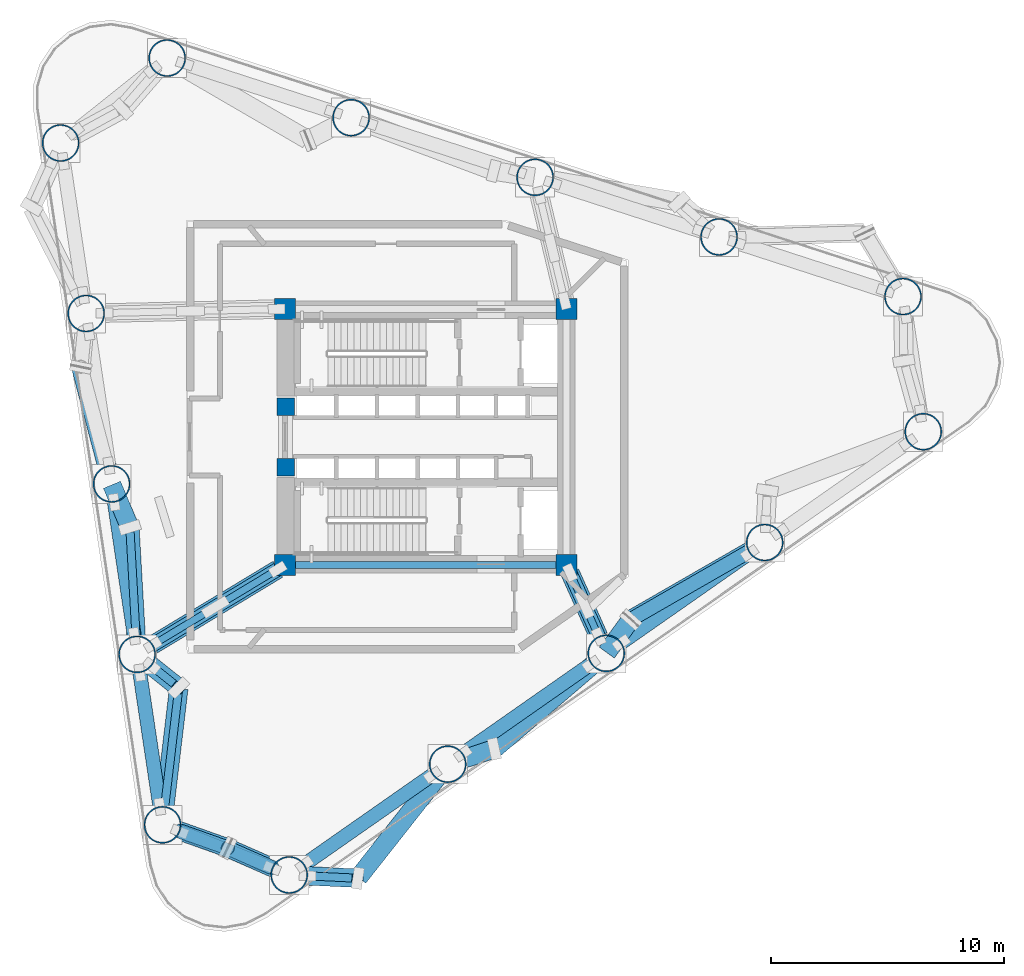
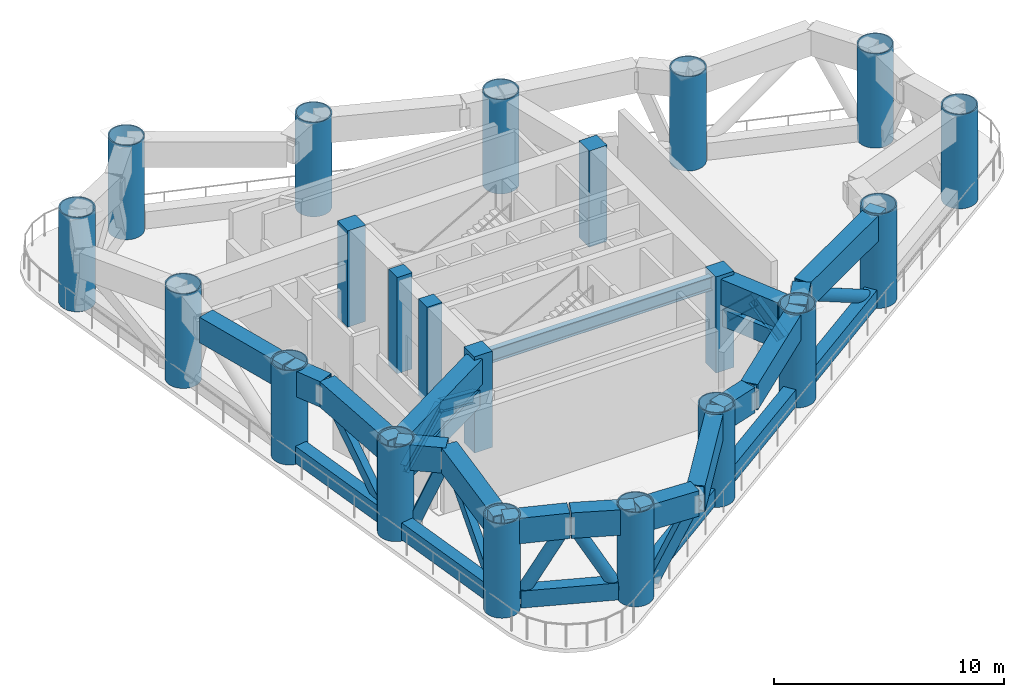
# One storey, part 1 of 8: 21 columns, 19 members, 16 beams.
"""IFC4 building model written with IfcOpenShell, lengths in metres."""

from ifc_helpers import new_model, si_unit, direction, frame, origin, origin_2d, place, context, subcontext, project, spatial, rectangle, hollow_rectangle, hollow_circle, i_section, extrude, source, transform, mapped, material, material_profile, profile_set, type_object, element, save


model = new_model("IFC4")

# Units and contexts
model_context = context("Model", 3, precision=1e-05, world=origin(), true_north=direction((0.0, 1.0)))
body_context = subcontext(model_context, "Body", "Model", "MODEL_VIEW")
ifc_project = project(units=[si_unit("LENGTHUNIT", "METRE"), si_unit("AREAUNIT", "SQUARE_METRE"), si_unit("VOLUMEUNIT", "CUBIC_METRE"), si_unit("PLANEANGLEUNIT", "RADIAN"), si_unit("MASSUNIT", "GRAM", prefix="KILO")], contexts=[model_context])

# Site, building, storey
site_placement = place(None, origin())
site = spatial("IfcSite", under=ifc_project, at=site_placement, CompositionType="ELEMENT")
building_placement = place(site_placement, origin())
building = spatial("IfcBuilding", under=site, at=building_placement, Name="Yunling Apex Tower", CompositionType="ELEMENT")
storey_placement = place(building_placement, frame((0.0, 0.0, 84.800048828125)))
storey = spatial("IfcBuildingStorey", under=building, at=storey_placement, Name="RF2", CompositionType="ELEMENT", Elevation=84.800048828125)

# Columns
ifc_material_1 = material(Name="Concrete C60", Category="concrete")
ifc_material_profile_1 = material_profile(ifc_material_1, rectangle(XDim=0.89990234375, YDim=0.89990234375, at=origin_2d()))
ifc_profile_set_1 = profile_set([ifc_material_profile_1], Name="Concrete C60")
column_type_1 = type_object("IfcColumnType", Name="PC-SRC-3", PredefinedType="COLUMN", material=ifc_profile_set_1)
shared_shape_1 = source(origin(), body_context, "Body", "SweptSolid", [
    extrude(rectangle(XDim=0.89990234375, YDim=0.89990234375, at=origin_2d()), origin(), (0.0, 0.0, 1.0), 5.099853515625),
])
for number, where, z_axis, x_axis, name in (
    (1, (-6.050048828125, -5.5, 0.0), (0.0, 0.0, 1.0), (1.0, 0.0, 0.0), "RF2 Core Spine Column CC-SW"),
    (2, (6.050048828125, -5.5, 0.0), (0.0, 0.0, 1.0), (1.0, 0.0, 0.0), "RF2 Core Spine Column CC-SE"),
    (3, (6.050048828125, 5.5, 0.0), (0.0, 0.0, 1.0), (1.0, 0.0, 0.0), "RF2 Core Spine Column CC-NE"),
    (4, (-6.050048828125, 5.5, 0.0), (0.0, 0.0, 1.0), (1.0, 0.0, 0.0), "RF2 Core Spine Column CC-NW"),
):
    element("IfcColumn", number, at=place(storey_placement, frame(where, z_axis=z_axis, x_axis=x_axis)), inside=storey, type_object=column_type_1, Name=name, PredefinedType="COLUMN", context=body_context, shape_type="MappedRepresentation", body=[
        mapped(shared_shape_1, transform((0.0, 0.0, 0.0), scale=1.0)),
    ])
ifc_material_2 = material(Name="Concrete C50", Category="concrete")
ifc_material_profile_2 = material_profile(ifc_material_2, rectangle(XDim=0.75, YDim=0.75, at=origin_2d()))
ifc_profile_set_2 = profile_set([ifc_material_profile_2], Name="Concrete C50")
column_type_2 = type_object("IfcColumnType", Name="PC-SRC-4", PredefinedType="COLUMN", material=ifc_profile_set_2)
shared_shape_2 = source(origin(), body_context, "Body", "SweptSolid", [
    extrude(rectangle(XDim=0.75, YDim=0.75, at=origin_2d()), origin(), (0.0, 0.0, 1.0), 5.099853515625),
])
for number, where, z_axis, x_axis, name in (
    (5, (-6.02490234375, -1.300048828125, 0.0), (0.0, 0.0, 1.0), (1.0, 0.0, 0.0), "RF2 Core West Portal Jamb Column S"),
    (6, (-6.02490234375, 1.300048828125, 0.0), (0.0, 0.0, 1.0), (1.0, 0.0, 0.0), "RF2 Core West Portal Jamb Column N"),
):
    element("IfcColumn", number, at=place(storey_placement, frame(where, z_axis=z_axis, x_axis=x_axis)), inside=storey, type_object=column_type_2, Name=name, PredefinedType="COLUMN", context=body_context, shape_type="MappedRepresentation", body=[
        mapped(shared_shape_2, transform((0.0, 0.0, 0.0), scale=1.0)),
    ])
ifc_material_3 = material(Name="Steel Q390GJC", Category="steel")
ifc_material_profile_3 = material_profile(ifc_material_3, hollow_circle(Radius=0.800048828125, WallThickness=0.054931640625, at=origin_2d()))
ifc_profile_set_3 = profile_set([ifc_material_profile_3], Name="Steel Q390GJC")
column_type_3 = type_object("IfcColumnType", Name="MC-CFST-1", PredefinedType="COLUMN", material=ifc_profile_set_3)
shared_shape_3 = source(origin(), body_context, "Body", "SweptSolid", [
    extrude(hollow_circle(Radius=0.800048828125, WallThickness=0.054931640625, at=origin_2d()), origin(), (0.0, 0.0, 1.0), 5.0),
])
for number, where, z_axis, x_axis, name in (
    (7, (-5.8681640625, -18.8193359375, 0.0), (0.0, 0.0, 1.0), (1.0, 0.0, 0.0), "RF2 Lower-Block CFST Column P01"),
    (8, (0.941650390625, -14.05810546875, 0.0), (0.0, 0.0, 1.0), (1.0, 0.0, 0.0), "RF2 Lower-Block CFST Column P02"),
    (9, (7.751708984375, -9.296875, 0.0), (0.0, 0.0, 1.0), (1.0, 0.0, 0.0), "RF2 Lower-Block CFST Column P03"),
    (10, (14.5615234375, -4.535400390625, 0.0), (0.0, 0.0, 1.0), (1.0, 0.0, 0.0), "RF2 Lower-Block CFST Column P04"),
    (11, (21.371337890625, 0.225830078125, 0.0), (0.0, 0.0, 1.0), (1.0, 0.0, 0.0), "RF2 Lower-Block CFST Column P05"),
    (12, (20.50341796875, 6.032470703125, 0.0), (0.0, 0.0, 1.0), (1.0, 0.0, 0.0), "RF2 Lower-Block CFST Column P06"),
    (13, (12.59912109375, 8.594482421875, 0.0), (0.0, 0.0, 1.0), (1.0, 0.0, 0.0), "RF2 Lower-Block CFST Column P07"),
    (14, (4.69482421875, 11.15673828125, 0.0), (0.0, 0.0, 1.0), (1.0, 0.0, 0.0), "RF2 Lower-Block CFST Column P08"),
    (15, (-3.209716796875, 13.718994140625, 0.0), (0.0, 0.0, 1.0), (1.0, 0.0, 0.0), "RF2 Lower-Block CFST Column P09"),
    (16, (-11.114013671875, 16.28125, 0.0), (0.0, 0.0, 1.0), (1.0, 0.0, 0.0), "RF2 Lower-Block CFST Column P10"),
    (17, (-15.689208984375, 12.62939453125, 0.0), (0.0, 0.0, 1.0), (1.0, 0.0, 0.0), "RF2 Lower-Block CFST Column P11"),
    (18, (-14.594482421875, 5.305908203125, 0.0), (0.0, 0.0, 1.0), (1.0, 0.0, 0.0), "RF2 Lower-Block CFST Column P12"),
    (19, (-13.5, -2.017578125, 0.0), (0.0, 0.0, 1.0), (1.0, 0.0, 0.0), "RF2 Lower-Block CFST Column P13"),
    (20, (-12.405517578125, -9.341064453125, 0.0), (0.0, 0.0, 1.0), (1.0, 0.0, 0.0), "RF2 Lower-Block CFST Column P14"),
    (21, (-11.31103515625, -16.66455078125, 0.0), (0.0, 0.0, 1.0), (1.0, 0.0, 0.0), "RF2 Lower-Block CFST Column P15"),
):
    element("IfcColumn", number, at=place(storey_placement, frame(where, z_axis=z_axis, x_axis=x_axis)), inside=storey, type_object=column_type_3, Name=name, PredefinedType="COLUMN", context=body_context, shape_type="MappedRepresentation", body=[
        mapped(shared_shape_3, transform((0.0, 0.0, 0.0), scale=1.0)),
    ])

# Beam
ifc_material_4 = material(Name="Steel Q355B", Category="steel")
ifc_material_profile_4 = material_profile(ifc_material_4, i_section(OverallWidth=0.300048828125, OverallDepth=0.699951171875, WebThickness=0.012939453125, FlangeThickness=0.02392578125, FilletRadius=0.02587890625, at=origin_2d()))
ifc_profile_set_4 = profile_set([ifc_material_profile_4], Name="Steel Q355B")
beam_type_1 = type_object("IfcBeamType", Name="BG-PRI-3", PredefinedType="USERDEFINED", material=ifc_profile_set_4)
shared_shape_4 = source(origin(), body_context, "Body", "SweptSolid", [
    extrude(i_section(OverallWidth=0.300048828125, OverallDepth=0.699951171875, WebThickness=0.012939453125, FlangeThickness=0.02392578125, FilletRadius=0.02587890625, at=origin_2d()), origin(), (0.0, 0.0, 1.0), 11.7998046875),
])
beam_1_placement = place(storey_placement, frame((-5.89990234375, -5.5, 4.56494140625), z_axis=(1.0, 0.0, 0.0), x_axis=(0.0, 1.0, 0.0)))
element("IfcBeam", 22, at=beam_1_placement, inside=storey, type_object=beam_type_1, Name="RF2 Core Ring Tie Beam 1", ObjectType="GIRDER", PredefinedType="USERDEFINED", context=body_context, shape_type="MappedRepresentation", body=[
    mapped(shared_shape_4, transform((0.0, 0.0, 0.0), scale=1.0)),
])

# Members
ifc_material_profile_5 = material_profile(ifc_material_3, hollow_rectangle(XDim=0.60009765625, YDim=0.89990234375, WallThickness=0.0419921875, at=origin_2d()))
ifc_profile_set_5 = profile_set([ifc_material_profile_5], Name="Steel Q390GJC")
member_type_1 = type_object("IfcMemberType", Name="BT-CHD-1", PredefinedType="CHORD", material=ifc_profile_set_5)
shared_shape_5 = source(origin(), body_context, "Body", "SweptSolid", [
    extrude(hollow_rectangle(XDim=0.60009765625, YDim=0.89990234375, WallThickness=0.0419921875, at=origin_2d()), origin(), (0.0, 0.0, 1.0), 6.72509765625),
])
member_1_placement = place(storey_placement, frame((-5.218994140625, -18.365478515625, 0.550048828125), z_axis=(0.819547318611, 0.573011511715, 0.0), x_axis=(-0.573011511715, 0.819547318611, 0.0)))
element("IfcMember", 23, at=member_1_placement, inside=storey, type_object=member_type_1, Name="RF2 Belt-Truss Bottom Chord 1", PredefinedType="CHORD", context=body_context, shape_type="MappedRepresentation", body=[
    mapped(shared_shape_5, transform((0.0, 0.0, 0.0), scale=1.0)),
])
shared_shape_6 = source(origin(), body_context, "Body", "SweptSolid", [
    extrude(hollow_rectangle(XDim=0.60009765625, YDim=0.89990234375, WallThickness=0.0419921875, at=origin_2d()), origin(), (0.0, 0.0, 1.0), 6.725341796875),
])
for number, where, z_axis, x_axis, name in (
    (24, (1.5908203125, -13.604248046875, 0.550048828125), (0.819542190346, 0.573018846324, 0.0), (-0.573018846324, 0.819542190346, 0.0), "RF2 Belt-Truss Bottom Chord 2"),
    (25, (8.400634765625, -8.843017578125, 0.550048828125), (0.819542190346, 0.573018846324, 0.0), (-0.573018846324, 0.819542190346, 0.0), "RF2 Belt-Truss Bottom Chord 3"),
):
    element("IfcMember", number, at=place(storey_placement, frame(where, z_axis=z_axis, x_axis=x_axis)), inside=storey, type_object=member_type_1, Name=name, PredefinedType="CHORD", context=body_context, shape_type="MappedRepresentation", body=[
        mapped(shared_shape_6, transform((0.0, 0.0, 0.0), scale=1.0)),
    ])
shared_shape_7 = source(origin(), body_context, "Body", "SweptSolid", [
    extrude(hollow_rectangle(XDim=0.60009765625, YDim=0.89990234375, WallThickness=0.0419921875, at=origin_2d()), origin(), (0.0, 0.0, 1.0), 5.821044921875),
])
member_2_placement = place(storey_placement, frame((-13.383056640625, -2.80078125, 0.550048828125), z_axis=(0.147801039457, -0.989017114481, 0.0), x_axis=(0.989017114481, 0.147801039457, 0.0)))
element("IfcMember", 26, at=member_2_placement, inside=storey, type_object=member_type_1, Name="RF2 Belt-Truss Bottom Chord 13", PredefinedType="CHORD", context=body_context, shape_type="MappedRepresentation", body=[
    mapped(shared_shape_7, transform((0.0, 0.0, 0.0), scale=1.0)),
])
shared_shape_8 = source(origin(), body_context, "Body", "SweptSolid", [
    extrude(hollow_rectangle(XDim=0.60009765625, YDim=0.89990234375, WallThickness=0.0419921875, at=origin_2d()), origin(), (0.0, 0.0, 1.0), 5.82080078125),
])
member_3_placement = place(storey_placement, frame((-12.28857421875, -10.12451171875, 0.550048828125), z_axis=(0.147807170589, -0.98901619821, 0.0), x_axis=(0.98901619821, 0.147807170589, 0.0)))
element("IfcMember", 27, at=member_3_placement, inside=storey, type_object=member_type_1, Name="RF2 Belt-Truss Bottom Chord 14", PredefinedType="CHORD", context=body_context, shape_type="MappedRepresentation", body=[
    mapped(shared_shape_8, transform((0.0, 0.0, 0.0), scale=1.0)),
])
shared_shape_9 = source(origin(), body_context, "Body", "SweptSolid", [
    extrude(hollow_rectangle(XDim=0.60009765625, YDim=0.89990234375, WallThickness=0.0419921875, at=origin_2d()), origin(), (0.0, 0.0, 1.0), 4.27001953125),
])
member_4_placement = place(storey_placement, frame((-10.57470703125, -16.9560546875, 0.550048828125), z_axis=(0.929787860877, -0.368095821444, 0.0), x_axis=(0.368095821444, 0.929787860877, 0.0)))
element("IfcMember", 28, at=member_4_placement, inside=storey, type_object=member_type_1, Name="RF2 Belt-Truss Bottom Chord 15", PredefinedType="CHORD", context=body_context, shape_type="MappedRepresentation", body=[
    mapped(shared_shape_9, transform((0.0, 0.0, 0.0), scale=1.0)),
])

# Beams
ifc_material_profile_6 = material_profile(ifc_material_3, hollow_rectangle(XDim=0.800048828125, YDim=1.35009765625, WallThickness=0.050048828125, at=origin_2d()))
ifc_profile_set_6 = profile_set([ifc_material_profile_6], Name="Steel Q390GJC")
beam_type_2 = type_object("IfcBeamType", Name="BTRNG-1", PredefinedType="USERDEFINED", material=ifc_profile_set_6)
shared_shape_10 = source(origin(), body_context, "Body", "SweptSolid", [
    extrude(hollow_rectangle(XDim=0.800048828125, YDim=1.35009765625, WallThickness=0.050048828125, at=origin_2d()), origin(), (0.0, 0.0, 1.0), 1.94775390625),
])
beam_2_placement = place(storey_placement, frame((-13.484619140625, -2.054443359375, 4.239990234375), z_axis=(0.386083516445, -0.922463830364, 0.0), x_axis=(0.922463830364, 0.386083516445, 0.0)))
element("IfcBeam", 29, at=beam_2_placement, inside=storey, type_object=beam_type_2, Name="RF2 Panel-Split Box Ring Transfer Girder 1", ObjectType="GIRDER", PredefinedType="USERDEFINED", context=body_context, shape_type="MappedRepresentation", body=[
    mapped(shared_shape_10, transform((0.0, 0.0, 0.0), scale=1.0)),
])
shared_shape_11 = source(origin(), body_context, "Body", "SweptSolid", [
    extrude(hollow_rectangle(XDim=0.800048828125, YDim=1.35009765625, WallThickness=0.050048828125, at=origin_2d()), origin(), (0.0, 0.0, 1.0), 5.382080078125),
])
beam_3_placement = place(storey_placement, frame((-12.715087890625, -3.927978515625, 4.239990234375), z_axis=(0.05706529257, -0.998370448473, 0.0), x_axis=(0.998370448473, 0.05706529257, 0.0)))
element("IfcBeam", 30, at=beam_3_placement, inside=storey, type_object=beam_type_2, Name="RF2 Panel-Split Box Ring Transfer Girder 2", ObjectType="GIRDER", PredefinedType="USERDEFINED", context=body_context, shape_type="MappedRepresentation", body=[
    mapped(shared_shape_11, transform((0.0, 0.0, 0.0), scale=1.0)),
])
shared_shape_12 = source(origin(), body_context, "Body", "SweptSolid", [
    extrude(hollow_rectangle(XDim=0.800048828125, YDim=1.35009765625, WallThickness=0.050048828125, at=origin_2d()), origin(), (0.0, 0.0, 1.0), 2.21533203125),
])
beam_4_placement = place(storey_placement, frame((-12.374267578125, -9.3662109375, 4.239990234375), z_axis=(0.781352401421, -0.624090077468, 0.0), x_axis=(0.624090077468, 0.781352401421, 0.0)))
element("IfcBeam", 31, at=beam_4_placement, inside=storey, type_object=beam_type_2, Name="RF2 Panel-Split Box Ring Transfer Girder 3", ObjectType="GIRDER", PredefinedType="USERDEFINED", context=body_context, shape_type="MappedRepresentation", body=[
    mapped(shared_shape_12, transform((0.0, 0.0, 0.0), scale=1.0)),
])
shared_shape_13 = source(origin(), body_context, "Body", "SweptSolid", [
    extrude(hollow_rectangle(XDim=0.800048828125, YDim=1.35009765625, WallThickness=0.050048828125, at=origin_2d()), origin(), (0.0, 0.0, 1.0), 5.852294921875),
])
beam_5_placement = place(storey_placement, frame((-10.61669921875, -10.8134765625, 4.239990234375), z_axis=(-0.1178505107, -0.993031347505, 0.0), x_axis=(0.993031347505, -0.1178505107, 0.0)))
element("IfcBeam", 32, at=beam_5_placement, inside=storey, type_object=beam_type_2, Name="RF2 Panel-Split Box Ring Transfer Girder 4", ObjectType="GIRDER", PredefinedType="USERDEFINED", context=body_context, shape_type="MappedRepresentation", body=[
    mapped(shared_shape_13, transform((0.0, 0.0, 0.0), scale=1.0)),
])
shared_shape_14 = source(origin(), body_context, "Body", "SweptSolid", [
    extrude(hollow_rectangle(XDim=0.800048828125, YDim=1.35009765625, WallThickness=0.050048828125, at=origin_2d()), origin(), (0.0, 0.0, 1.0), 2.895263671875),
])
beam_6_placement = place(storey_placement, frame((-11.2734375, -16.677978515625, 4.239990234375), z_axis=(0.942455173893, -0.33433253686, 0.0), x_axis=(0.33433253686, 0.942455173893, 0.0)))
element("IfcBeam", 33, at=beam_6_placement, inside=storey, type_object=beam_type_2, Name="RF2 Panel-Split Box Ring Transfer Girder 5", ObjectType="GIRDER", PredefinedType="USERDEFINED", context=body_context, shape_type="MappedRepresentation", body=[
    mapped(shared_shape_14, transform((0.0, 0.0, 0.0), scale=1.0)),
])
shared_shape_15 = source(origin(), body_context, "Body", "SweptSolid", [
    extrude(hollow_rectangle(XDim=0.800048828125, YDim=1.35009765625, WallThickness=0.050048828125, at=origin_2d()), origin(), (0.0, 0.0, 1.0), 2.802490234375),
])
beam_7_placement = place(storey_placement, frame((-8.47021484375, -17.67529296875, 4.239990234375), z_axis=(0.915428038586, -0.402481684266, 0.0), x_axis=(0.402481684266, 0.915428038586, 0.0)))
element("IfcBeam", 34, at=beam_7_placement, inside=storey, type_object=beam_type_2, Name="RF2 Panel-Split Box Ring Transfer Girder 6", ObjectType="GIRDER", PredefinedType="USERDEFINED", context=body_context, shape_type="MappedRepresentation", body=[
    mapped(shared_shape_15, transform((0.0, 0.0, 0.0), scale=1.0)),
])
shared_shape_16 = source(origin(), body_context, "Body", "SweptSolid", [
    extrude(hollow_rectangle(XDim=0.800048828125, YDim=1.35009765625, WallThickness=0.050048828125, at=origin_2d()), origin(), (0.0, 0.0, 1.0), 2.869873046875),
])
beam_8_placement = place(storey_placement, frame((-5.828125, -18.8212890625, 4.239990234375), z_axis=(0.998860619346, -0.047722773587, 0.0), x_axis=(0.047722773587, 0.998860619346, 0.0)))
element("IfcBeam", 35, at=beam_8_placement, inside=storey, type_object=beam_type_2, Name="RF2 Panel-Split Box Ring Transfer Girder 7", ObjectType="GIRDER", PredefinedType="USERDEFINED", context=body_context, shape_type="MappedRepresentation", body=[
    mapped(shared_shape_16, transform((0.0, 0.0, 0.0), scale=1.0)),
])
shared_shape_17 = source(origin(), body_context, "Body", "SweptSolid", [
    extrude(hollow_rectangle(XDim=0.800048828125, YDim=1.35009765625, WallThickness=0.050048828125, at=origin_2d()), origin(), (0.0, 0.0, 1.0), 6.1611328125),
])
beam_9_placement = place(storey_placement, frame((-2.896484375, -18.9287109375, 4.239990234375), z_axis=(0.61895668346, 0.785425123102, 0.0), x_axis=(-0.785425123102, 0.61895668346, 0.0)))
element("IfcBeam", 36, at=beam_9_placement, inside=storey, type_object=beam_type_2, Name="RF2 Panel-Split Box Ring Transfer Girder 8", ObjectType="GIRDER", PredefinedType="USERDEFINED", context=body_context, shape_type="MappedRepresentation", body=[
    mapped(shared_shape_17, transform((0.0, 0.0, 0.0), scale=1.0)),
])
shared_shape_18 = source(origin(), body_context, "Body", "SweptSolid", [
    extrude(hollow_rectangle(XDim=0.800048828125, YDim=1.35009765625, WallThickness=0.050048828125, at=origin_2d()), origin(), (0.0, 0.0, 1.0), 2.0263671875),
])
beam_10_placement = place(storey_placement, frame((0.979736328125, -14.045654296875, 4.239990234375), z_axis=(0.950297350206, 0.311343774937, 0.0), x_axis=(-0.311343774937, 0.950297350206, 0.0)))
element("IfcBeam", 37, at=beam_10_placement, inside=storey, type_object=beam_type_2, Name="RF2 Panel-Split Box Ring Transfer Girder 9", ObjectType="GIRDER", PredefinedType="USERDEFINED", context=body_context, shape_type="MappedRepresentation", body=[
    mapped(shared_shape_18, transform((0.0, 0.0, 0.0), scale=1.0)),
])
shared_shape_19 = source(origin(), body_context, "Body", "SweptSolid", [
    extrude(hollow_rectangle(XDim=0.800048828125, YDim=1.35009765625, WallThickness=0.050048828125, at=origin_2d()), origin(), (0.0, 0.0, 1.0), 6.24267578125),
])
beam_11_placement = place(storey_placement, frame((2.9736328125, -13.37646484375, 4.239990234375), z_axis=(0.760491960804, 0.649347347382, 0.0), x_axis=(-0.649347347382, 0.760491960804, 0.0)))
element("IfcBeam", 38, at=beam_11_placement, inside=storey, type_object=beam_type_2, Name="RF2 Panel-Split Box Ring Transfer Girder 10", ObjectType="GIRDER", PredefinedType="USERDEFINED", context=body_context, shape_type="MappedRepresentation", body=[
    mapped(shared_shape_19, transform((0.0, 0.0, 0.0), scale=1.0)),
])
shared_shape_20 = source(origin(), body_context, "Body", "SweptSolid", [
    extrude(hollow_rectangle(XDim=0.800048828125, YDim=1.35009765625, WallThickness=0.050048828125, at=origin_2d()), origin(), (0.0, 0.0, 1.0), 1.715576171875),
])
beam_12_placement = place(storey_placement, frame((7.775146484375, -9.264404296875, 4.239990234375), z_axis=(0.588417044684, 0.808557593203, 0.0), x_axis=(-0.808557593203, 0.588417044684, 0.0)))
element("IfcBeam", 39, at=beam_12_placement, inside=storey, type_object=beam_type_2, Name="RF2 Panel-Split Box Ring Transfer Girder 11", ObjectType="GIRDER", PredefinedType="USERDEFINED", context=body_context, shape_type="MappedRepresentation", body=[
    mapped(shared_shape_20, transform((0.0, 0.0, 0.0), scale=1.0)),
])
shared_shape_21 = source(origin(), body_context, "Body", "SweptSolid", [
    extrude(hollow_rectangle(XDim=0.800048828125, YDim=1.35009765625, WallThickness=0.050048828125, at=origin_2d()), origin(), (0.0, 0.0, 1.0), 6.557373046875),
])
beam_13_placement = place(storey_placement, frame((8.8427734375, -7.824951171875, 4.239990234375), z_axis=(0.866828261524, 0.498606824084, 0.0), x_axis=(-0.498606824084, 0.866828261524, 0.0)))
element("IfcBeam", 40, at=beam_13_placement, inside=storey, type_object=beam_type_2, Name="RF2 Panel-Split Box Ring Transfer Girder 12", ObjectType="GIRDER", PredefinedType="USERDEFINED", context=body_context, shape_type="MappedRepresentation", body=[
    mapped(shared_shape_21, transform((0.0, 0.0, 0.0), scale=1.0)),
])
shared_shape_22 = source(origin(), body_context, "Body", "SweptSolid", [
    extrude(hollow_rectangle(XDim=0.800048828125, YDim=1.35009765625, WallThickness=0.050048828125, at=origin_2d()), origin(), (0.0, 0.0, 1.0), 5.106689453125),
])
beam_14_placement = place(storey_placement, frame((-14.812255859375, 2.958984375, 4.239990234375), z_axis=(0.254956853175, -0.966952430587, 0.0), x_axis=(0.966952430587, 0.254956853175, 0.0)))
element("IfcBeam", 41, at=beam_14_placement, inside=storey, type_object=beam_type_2, Name="RF2 Panel-Split Box Ring Transfer Girder 30", ObjectType="GIRDER", PredefinedType="USERDEFINED", context=body_context, shape_type="MappedRepresentation", body=[
    mapped(shared_shape_22, transform((0.0, 0.0, 0.0), scale=1.0)),
])

# Members
ifc_material_profile_7 = material_profile(ifc_material_4, hollow_rectangle(XDim=0.35009765625, YDim=0.550048828125, WallThickness=0.02587890625, at=origin_2d()))
ifc_profile_set_7 = profile_set([ifc_material_profile_7], Name="Steel Q355B")
member_type_2 = type_object("IfcMemberType", Name="BR-BLT-1", PredefinedType="BRACE", material=ifc_profile_set_7)
shared_shape_23 = source(origin(), body_context, "Body", "SweptSolid", [
    extrude(hollow_rectangle(XDim=0.35009765625, YDim=0.550048828125, WallThickness=0.02587890625, at=origin_2d()), origin(), (0.0, 0.0, 1.0), 4.265625),
])
member_5_placement = place(storey_placement, frame((-5.0791015625, -18.857177734375, 0.550048828125), z_axis=(0.501141703349, -0.023866616069, 0.865036055781), x_axis=(0.047570569415, 0.998867879614, 0.0)))
element("IfcMember", 42, at=member_5_placement, inside=storey, type_object=member_type_2, Name="RF2 Belt-Truss Diagonal 1-1", PredefinedType="BRACE", context=body_context, shape_type="MappedRepresentation", body=[
    mapped(shared_shape_23, transform((0.0, 0.0, 0.0), scale=1.0)),
])
ifc_material_profile_8 = material_profile(ifc_material_4, hollow_circle(Radius=0.304931640625, WallThickness=0.02392578125, at=origin_2d()))
ifc_profile_set_8 = profile_set([ifc_material_profile_8], Name="Steel Q355B")
member_type_3 = type_object("IfcMemberType", Name="BR-PER-1", PredefinedType="BRACE", material=ifc_profile_set_8)
shared_shape_24 = source(origin(), body_context, "Body", "SweptSolid", [
    extrude(hollow_circle(Radius=0.304931640625, WallThickness=0.02392578125, at=origin_2d()), origin(), (0.0, 0.0, 1.0), 6.897216796875),
])
member_6_placement = place(storey_placement, frame((13.876708984375, -4.929443359375, 0.550048828125), z_axis=(-0.732363412574, -0.421224002399, 0.534989880022), x_axis=(0.49857345241, -0.866847456333, 0.0)))
element("IfcMember", 43, at=member_6_placement, inside=storey, type_object=member_type_3, Name="RF2 Belt-Truss Diagonal 3-1", PredefinedType="BRACE", context=body_context, shape_type="MappedRepresentation", body=[
    mapped(shared_shape_24, transform((0.0, 0.0, 0.0), scale=1.0)),
])
shared_shape_25 = source(origin(), body_context, "Body", "SweptSolid", [
    extrude(hollow_rectangle(XDim=0.35009765625, YDim=0.550048828125, WallThickness=0.02587890625, at=origin_2d()), origin(), (0.0, 0.0, 1.0), 5.937744140625),
])
member_7_placement = place(storey_placement, frame((-12.45068359375, -8.552490234375, 0.550048828125), z_axis=(-0.044734311635, 0.782192596081, 0.621428663644), x_axis=(-0.99836860042, -0.057097615499, 0.0)))
element("IfcMember", 44, at=member_7_placement, inside=storey, type_object=member_type_2, Name="RF2 Belt-Truss Diagonal 13-1", PredefinedType="BRACE", context=body_context, shape_type="MappedRepresentation", body=[
    mapped(shared_shape_25, transform((0.0, 0.0, 0.0), scale=1.0)),
])
shared_shape_26 = source(origin(), body_context, "Body", "SweptSolid", [
    extrude(hollow_rectangle(XDim=0.35009765625, YDim=0.550048828125, WallThickness=0.02587890625, at=origin_2d()), origin(), (0.0, 0.0, 1.0), 3.977783203125),
])
member_8_placement = place(storey_placement, frame((-11.788330078125, -9.833984375, 0.550048828125), z_axis=(0.291783688426, -0.233107793151, 0.927643808765), x_axis=(0.624173821646, 0.781285505031, 0.0)))
element("IfcMember", 45, at=member_8_placement, inside=storey, type_object=member_type_2, Name="RF2 Belt-Truss Diagonal 14-1", PredefinedType="BRACE", context=body_context, shape_type="MappedRepresentation", body=[
    mapped(shared_shape_26, transform((0.0, 0.0, 0.0), scale=1.0)),
])
shared_shape_27 = source(origin(), body_context, "Body", "SweptSolid", [
    extrude(hollow_rectangle(XDim=0.35009765625, YDim=0.550048828125, WallThickness=0.02587890625, at=origin_2d()), origin(), (0.0, 0.0, 1.0), 6.312744140625),
])
member_9_placement = place(storey_placement, frame((-11.218017578125, -15.880126953125, 0.550048828125), z_axis=(0.095601673788, 0.805730287903, 0.584516058911), x_axis=(-0.993034290904, 0.117825706399, 0.0)))
element("IfcMember", 46, at=member_9_placement, inside=storey, type_object=member_type_2, Name="RF2 Belt-Truss Diagonal 14-2", PredefinedType="BRACE", context=body_context, shape_type="MappedRepresentation", body=[
    mapped(shared_shape_27, transform((0.0, 0.0, 0.0), scale=1.0)),
])
shared_shape_28 = source(origin(), body_context, "Body", "SweptSolid", [
    extrude(hollow_circle(Radius=0.304931640625, WallThickness=0.02392578125, at=origin_2d()), origin(), (0.0, 0.0, 1.0), 4.232177734375),
])
member_10_placement = place(storey_placement, frame((-6.59130859375, -18.50146484375, 0.550048828125), z_axis=(-0.448287473028, 0.197117268735, 0.871884811138), x_axis=(-0.402517532916, -0.915412276351, 0.0)))
element("IfcMember", 47, at=member_10_placement, inside=storey, type_object=member_type_3, Name="RF2 Belt-Truss Diagonal 15-1", PredefinedType="BRACE", context=body_context, shape_type="MappedRepresentation", body=[
    mapped(shared_shape_28, transform((0.0, 0.0, 0.0), scale=1.0)),
])
shared_shape_29 = source(origin(), body_context, "Body", "SweptSolid", [
    extrude(hollow_circle(Radius=0.304931640625, WallThickness=0.02392578125, at=origin_2d()), origin(), (0.0, 0.0, 1.0), 4.278564453125),
])
member_11_placement = place(storey_placement, frame((-10.566650390625, -16.9287109375, 0.550048828125), z_axis=(0.477041977623, -0.169190127231, 0.862441680598), x_axis=(0.334264492044, 0.942479309777, 0.0)))
element("IfcMember", 48, at=member_11_placement, inside=storey, type_object=member_type_3, Name="RF2 Belt-Truss Diagonal 15-2", PredefinedType="BRACE", context=body_context, shape_type="MappedRepresentation", body=[
    mapped(shared_shape_29, transform((0.0, 0.0, 0.0), scale=1.0)),
])

# Beam
shared_shape_30 = source(origin(), body_context, "Body", "SweptSolid", [
    extrude(hollow_rectangle(XDim=0.800048828125, YDim=1.35009765625, WallThickness=0.050048828125, at=origin_2d()), origin(), (0.0, 0.0, 1.0), 6.276123046875),
])
beam_15_placement = place(storey_placement, frame((-6.358154296875, -5.686279296875, 4.239990234375), z_axis=(-0.855834107722, -0.517250403635, 0.0), x_axis=(0.517250403635, -0.855834107722, 0.0)))
element("IfcBeam", 49, at=beam_15_placement, inside=storey, type_object=beam_type_2, Name="RF2 Radial Outrigger Top Girder 1", ObjectType="GIRDER", PredefinedType="USERDEFINED", context=body_context, shape_type="MappedRepresentation", body=[
    mapped(shared_shape_30, transform((0.0, 0.0, 0.0), scale=1.0)),
])

# Members
shared_shape_31 = source(origin(), body_context, "Body", "SweptSolid", [
    extrude(hollow_rectangle(XDim=0.60009765625, YDim=0.89990234375, WallThickness=0.0419921875, at=origin_2d()), origin(), (0.0, 0.0, 1.0), 6.276123046875),
])
member_12_placement = place(storey_placement, frame((-6.358154296875, -5.686279296875, 2.820068359375), z_axis=(-0.855834107722, -0.517250403635, 0.0), x_axis=(0.517250403635, -0.855834107722, 0.0)))
element("IfcMember", 50, at=member_12_placement, inside=storey, type_object=member_type_1, Name="RF2 Radial Outrigger Lower Chord 1", PredefinedType="CHORD", context=body_context, shape_type="MappedRepresentation", body=[
    mapped(shared_shape_31, transform((0.0, 0.0, 0.0), scale=1.0)),
])
ifc_material_profile_9 = material_profile(ifc_material_4, i_section(OverallWidth=0.300048828125, OverallDepth=0.590087890625, WebThickness=0.011962890625, FlangeThickness=0.02001953125, FilletRadius=0.02392578125, at=origin_2d()))
ifc_profile_set_9 = profile_set([ifc_material_profile_9], Name="Steel Q355B")
member_type_4 = type_object("IfcMemberType", Name="BR-OUT-1", PredefinedType="BRACE", material=ifc_profile_set_9)
shared_shape_32 = source(origin(), body_context, "Body", "SweptSolid", [
    extrude(i_section(OverallWidth=0.300048828125, OverallDepth=0.590087890625, WebThickness=0.011962890625, FlangeThickness=0.02001953125, FilletRadius=0.02392578125, at=origin_2d()), origin(), (0.0, 0.0, 1.0), 3.4443359375),
])
member_13_placement = place(storey_placement, frame((-6.358154296875, -5.686279296875, 2.820068359375), z_axis=(-0.779726696391, -0.471238461601, 0.412262769655), x_axis=(0.51723913094, -0.85584092063, 0.0)))
element("IfcMember", 51, at=member_13_placement, inside=storey, type_object=member_type_4, Name="RF2 Outrigger Inner Diagonal 1A", PredefinedType="BRACE", context=body_context, shape_type="MappedRepresentation", body=[
    mapped(shared_shape_32, transform((0.0, 0.0, 0.0), scale=1.0)),
])
shared_shape_33 = source(origin(), body_context, "Body", "SweptSolid", [
    extrude(i_section(OverallWidth=0.300048828125, OverallDepth=0.590087890625, WebThickness=0.011962890625, FlangeThickness=0.02001953125, FilletRadius=0.02392578125, at=origin_2d()), origin(), (0.0, 0.0, 1.0), 3.444580078125),
])
member_14_placement = place(storey_placement, frame((-9.043701171875, -7.309326171875, 4.239990234375), z_axis=(-0.779728438362, -0.471267556283, -0.412226215572), x_axis=(0.517261675036, -0.855827295393, 0.0)))
element("IfcMember", 52, at=member_14_placement, inside=storey, type_object=member_type_4, Name="RF2 Outrigger Outer Diagonal 1B", PredefinedType="BRACE", context=body_context, shape_type="MappedRepresentation", body=[
    mapped(shared_shape_33, transform((0.0, 0.0, 0.0), scale=1.0)),
])

# Beam
shared_shape_34 = source(origin(), body_context, "Body", "SweptSolid", [
    extrude(hollow_rectangle(XDim=0.800048828125, YDim=1.35009765625, WallThickness=0.050048828125, at=origin_2d()), origin(), (0.0, 0.0, 1.0), 3.010498046875),
])
beam_16_placement = place(storey_placement, frame((6.197265625, -5.82861328125, 4.239990234375), z_axis=(0.408958106943, -0.912553158323, 0.0), x_axis=(0.912553158323, 0.408958106943, 0.0)))
element("IfcBeam", 53, at=beam_16_placement, inside=storey, type_object=beam_type_2, Name="RF2 Radial Outrigger Top Girder 2", ObjectType="GIRDER", PredefinedType="USERDEFINED", context=body_context, shape_type="MappedRepresentation", body=[
    mapped(shared_shape_34, transform((0.0, 0.0, 0.0), scale=1.0)),
])

# Members
shared_shape_35 = source(origin(), body_context, "Body", "SweptSolid", [
    extrude(hollow_rectangle(XDim=0.60009765625, YDim=0.89990234375, WallThickness=0.0419921875, at=origin_2d()), origin(), (0.0, 0.0, 1.0), 3.010498046875),
])
member_15_placement = place(storey_placement, frame((6.197265625, -5.82861328125, 2.820068359375), z_axis=(0.408958106943, -0.912553158323, 0.0), x_axis=(0.912553158323, 0.408958106943, 0.0)))
element("IfcMember", 54, at=member_15_placement, inside=storey, type_object=member_type_1, Name="RF2 Radial Outrigger Lower Chord 2", PredefinedType="CHORD", context=body_context, shape_type="MappedRepresentation", body=[
    mapped(shared_shape_35, transform((0.0, 0.0, 0.0), scale=1.0)),
])
shared_shape_36 = source(origin(), body_context, "Body", "SweptSolid", [
    extrude(i_section(OverallWidth=0.300048828125, OverallDepth=0.590087890625, WebThickness=0.011962890625, FlangeThickness=0.02001953125, FilletRadius=0.02392578125, at=origin_2d()), origin(), (0.0, 0.0, 1.0), 2.069091796875),
])
member_16_placement = place(storey_placement, frame((6.197265625, -5.82861328125, 2.820068359375), z_axis=(0.297447498196, -0.663799930524, 0.686217631698), x_axis=(0.912569860647, 0.408920835174, 0.0)))
element("IfcMember", 55, at=member_16_placement, inside=storey, type_object=member_type_4, Name="RF2 Outrigger Inner Diagonal 2A", PredefinedType="BRACE", context=body_context, shape_type="MappedRepresentation", body=[
    mapped(shared_shape_36, transform((0.0, 0.0, 0.0), scale=1.0)),
])
shared_shape_37 = source(origin(), body_context, "Body", "SweptSolid", [
    extrude(i_section(OverallWidth=0.300048828125, OverallDepth=0.590087890625, WebThickness=0.011962890625, FlangeThickness=0.02001953125, FilletRadius=0.02392578125, at=origin_2d()), origin(), (0.0, 0.0, 1.0), 2.0693359375),
])
member_17_placement = place(storey_placement, frame((6.812744140625, -7.2021484375, 4.239990234375), z_axis=(0.297531739138, -0.663842623367, -0.686139807624), x_axis=(0.912536458058, 0.408995370041, 0.0)))
element("IfcMember", 56, at=member_17_placement, inside=storey, type_object=member_type_4, Name="RF2 Outrigger Outer Diagonal 2B", PredefinedType="BRACE", context=body_context, shape_type="MappedRepresentation", body=[
    mapped(shared_shape_37, transform((0.0, 0.0, 0.0), scale=1.0)),
])

save(model, "model.ifc")
